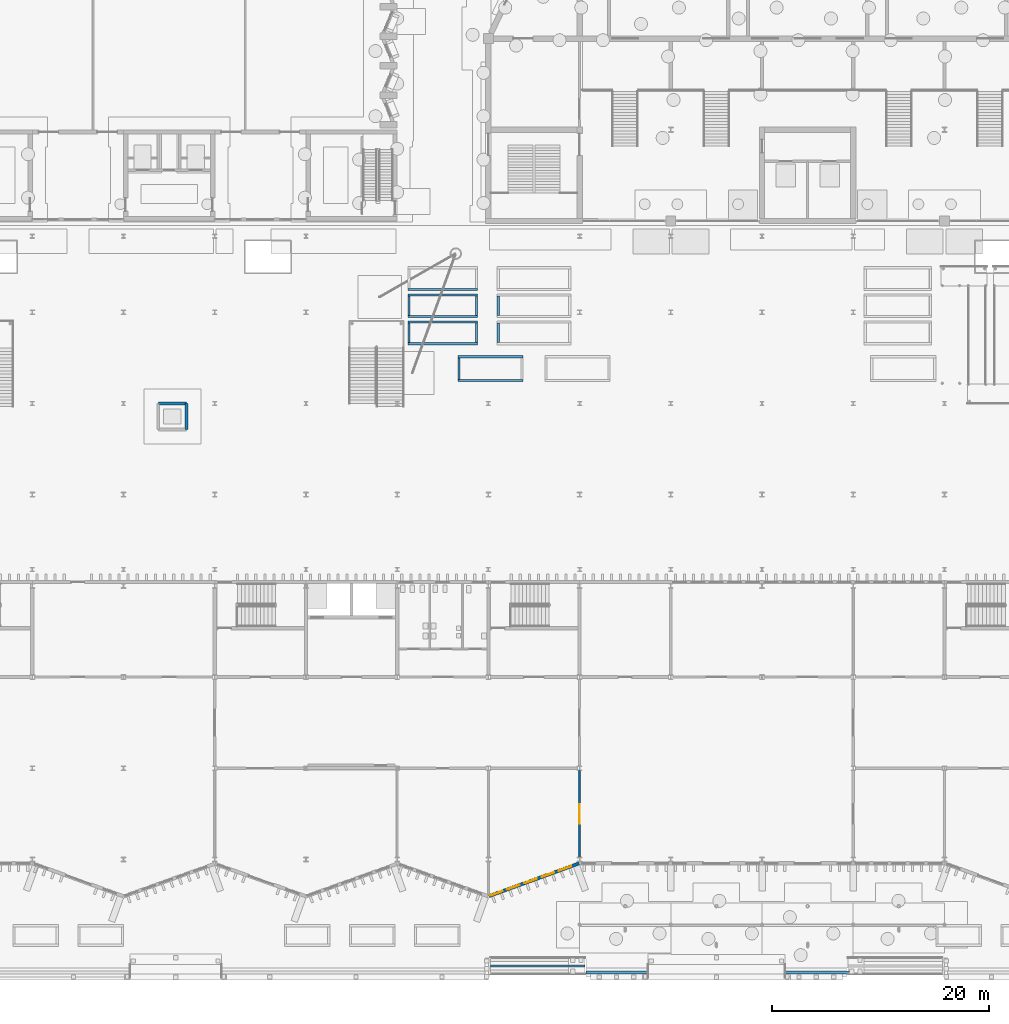
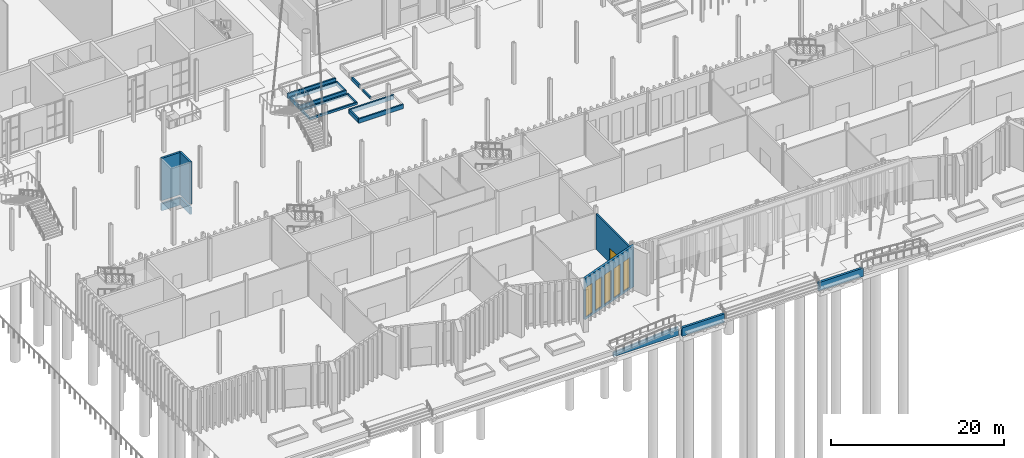
# One storey, part 56 of 108: 23 walls, 5 windows, 1 door, 6 openings.
"""IFC4 building model written with IfcOpenShell, lengths in metres."""

import ifcopenshell
import ifcopenshell.guid

model = None  # the IFC model being written
_history = None  # IfcOwnerHistory: only IFC2X3 demands one
_inside = {}  # id of a spatial element -> (the spatial element, [elements in it])
_under = {}  # id of a project, library or spatial element -> (it, [spatial elements below it])
_declared = {}  # id of a project -> (the project, [libraries it declares])
_typed = {}  # id of a type object -> (the type object, [elements of that type])
_made_of = {}  # id of a material, layer set ... -> (it, [elements and type objects made of it])


def new_model(schema):
    """Start an empty IFC model of exactly this schema.

    Asked for "IFC4X3", IfcOpenShell would pick the latest addendum, in which some entities
    have other attributes; the version numbers below select the first issue.
    IFC2X3 requires an IfcOwnerHistory on every rooted entity: one is made here for all.
    """
    global model, _history
    if schema == "IFC4X3":
        model = ifcopenshell.file(schema_version=(4, 3, 0, 0))
    else:
        model = ifcopenshell.file(schema=schema)
    _inside.clear()
    _under.clear()
    _declared.clear()
    _typed.clear()
    _made_of.clear()
    _history = None
    if model.schema == "IFC2X3":
        org = make("IfcOrganization", Name="unknown")
        user = make(
            "IfcPersonAndOrganization",
            ThePerson=make("IfcPerson", FamilyName="unknown"),
            TheOrganization=org,
        )
        app = make(
            "IfcApplication",
            ApplicationDeveloper=org,
            Version="unknown",
            ApplicationFullName="unknown",
            ApplicationIdentifier="unknown",
        )
        _history = make(
            "IfcOwnerHistory",
            OwningUser=user,
            OwningApplication=app,
            ChangeAction="ADDED",
            CreationDate=0,
        )
    return model


def make(cls, **values):
    """One entity of the class cls with the attributes given. An attribute that is None is left unset."""
    return model.create_entity(
        cls, **{name: value for name, value in values.items() if value is not None}
    )


def rooted(cls, **values):
    """An entity with a GlobalId (a new one), such as an element, a storey or a relation."""
    return make(cls, GlobalId=ifcopenshell.guid.new(), OwnerHistory=_history, **values)


def si_unit(unit_type, name, prefix=None):
    """IfcSIUnit, for example si_unit("LENGTHUNIT", "METRE", prefix="MILLI")."""
    return make("IfcSIUnit", UnitType=unit_type, Prefix=prefix, Name=name)


def assignment(units):
    """IfcUnitAssignment: the units of a project."""
    return None if units is None else make("IfcUnitAssignment", Units=units)


def point(xyz):
    """IfcCartesianPoint."""
    return None if xyz is None else make("IfcCartesianPoint", Coordinates=xyz)


def direction(xyz):
    """IfcDirection."""
    return None if xyz is None else make("IfcDirection", DirectionRatios=xyz)


def frame(location, z_axis=None, x_axis=None):
    """IfcAxis2Placement3D, a coordinate frame: its origin and axes. An axis left out is left unset."""
    return make(
        "IfcAxis2Placement3D",
        Location=point(location),
        Axis=direction(z_axis),
        RefDirection=direction(x_axis),
    )


def frame_2d(location, x_axis=None):
    """IfcAxis2Placement2D, a coordinate frame in the plane: its origin and x axis."""
    return make(
        "IfcAxis2Placement2D", Location=point(location), RefDirection=direction(x_axis)
    )


def origin():
    """The frame at (0, 0, 0) with its axes left unset."""
    return frame((0.0, 0.0, 0.0))


def place(relative_to, where):
    """IfcLocalPlacement: puts the frame where relative to a parent placement (None: the world)."""
    return make(
        "IfcLocalPlacement", PlacementRelTo=relative_to, RelativePlacement=where
    )


def context(
    kind, dimensions, precision=None, world=None, true_north=None, identifier=None
):
    """IfcGeometricRepresentationContext, for example the 3D "Model" context."""
    return make(
        "IfcGeometricRepresentationContext",
        ContextIdentifier=identifier,
        ContextType=kind,
        CoordinateSpaceDimension=dimensions,
        Precision=precision,
        WorldCoordinateSystem=world,
        TrueNorth=true_north,
    )


def subcontext(parent, identifier, kind, view, scale=None):
    """IfcGeometricRepresentationSubContext, for example "Body" below "Model"."""
    return make(
        "IfcGeometricRepresentationSubContext",
        ContextIdentifier=identifier,
        ContextType=kind,
        ParentContext=parent,
        TargetScale=scale,
        TargetView=view,
    )


def project(units=None, contexts=None):
    """IfcProject with its units and contexts."""
    return rooted(
        "IfcProject",
        Name="project",
        RepresentationContexts=contexts,
        UnitsInContext=assignment(units),
    )


def spatial(cls, under=None, at=None, **own):
    """A site, building, storey or space (cls), placed at a placement, below another one or the project."""
    s = rooted(cls, ObjectPlacement=at, **own)
    if under is not None:
        _under.setdefault(under.id(), (under, []))[1].append(s)
    return s


def polyline(points):
    """IfcPolyline through the points."""
    return make("IfcPolyline", Points=[point(p) for p in points])


def profile(cls, at=None, kind="AREA", **sizes):
    """A parametric profile (cls). Its sizes go by their IFC names, for example OverallWidth=200.0."""
    return make(cls, ProfileType=kind, Position=at, **sizes)


def rectangle(**sizes):
    """IfcRectangleProfileDef."""
    return profile("IfcRectangleProfileDef", **sizes)


def outline(outer, holes=None, kind="AREA"):
    """IfcArbitraryClosedProfileDef: a profile drawn as a closed curve; with holes, ...WithVoids."""
    if holes is None:
        return make("IfcArbitraryClosedProfileDef", ProfileType=kind, OuterCurve=outer)
    return make(
        "IfcArbitraryProfileDefWithVoids",
        ProfileType=kind,
        OuterCurve=outer,
        InnerCurves=holes,
    )


def extrude(swept, where, along, depth):
    """IfcExtrudedAreaSolid: the profile swept, set in the frame where, extruded along a direction by depth."""
    return make(
        "IfcExtrudedAreaSolid",
        SweptArea=swept,
        Position=where,
        ExtrudedDirection=direction(along),
        Depth=depth,
    )


def shape(context_of_items, identifier, shape_type, items):
    """IfcShapeRepresentation: the items that make up one representation, for example the "Body"."""
    return make(
        "IfcShapeRepresentation",
        ContextOfItems=context_of_items,
        RepresentationIdentifier=identifier,
        RepresentationType=shape_type,
        Items=items,
    )


def material(Name=None, Category=None):
    """IfcMaterial."""
    return make("IfcMaterial", Name=Name, Category=Category)


def layer(
    of_material, thickness, ventilated=None, Name=None, Category=None, Priority=None
):
    """IfcMaterialLayer: one layer of a wall or slab, of a material (None: an air gap)."""
    return make(
        "IfcMaterialLayer",
        Material=of_material,
        LayerThickness=thickness,
        IsVentilated=ventilated,
        Name=Name,
        Category=Category,
        Priority=Priority,
    )


def layer_set(layers, Name=None):
    """IfcMaterialLayerSet."""
    return make("IfcMaterialLayerSet", MaterialLayers=layers, LayerSetName=Name)


def made_of(thing, what):
    """Note that an element or type object is made of a material, layer set ...; save() writes the relation."""
    if what is not None:
        _made_of.setdefault(what.id(), (what, []))[1].append(thing)
    return thing


def type_object(cls, material=None, **own):
    """A type object (cls), such as IfcWallType, which elements share."""
    return made_of(rooted(cls, **own), material)


def element(
    cls,
    number,
    at=None,
    inside=None,
    cuts=None,
    type_object=None,
    material=None,
    context=None,
    identifier="Body",
    shape_type=None,
    held_by="IfcProductDefinitionShape",
    body=None,
    shapes=None,
    **own,
):
    """One element of the class cls, such as IfcWall. Its Tag is "e" and its number.

    at: its placement. inside: the storey or other place that contains it. cuts: it is an
    opening in that element (IfcRelVoidsElement). A single representation is given by context,
    identifier, shape_type and body (its items); several are given by shapes. held_by: the class
    of the entity that holds the representations. save() writes the other relations.
    """
    e = rooted(cls, Tag="e%d" % number, ObjectPlacement=at, **own)
    if body is not None:
        shapes = [shape(context, identifier, shape_type, body)]
    if shapes is not None:
        e.Representation = make(held_by, Representations=shapes)
    if inside is not None:
        _inside.setdefault(inside.id(), (inside, []))[1].append(e)
    if cuts is not None:
        rooted(
            "IfcRelVoidsElement", RelatingBuildingElement=cuts, RelatedOpeningElement=e
        )
    if type_object is not None:
        _typed.setdefault(type_object.id(), (type_object, []))[1].append(e)
    return made_of(e, material)


def fill(opening, filler):
    """IfcRelFillsElement: the door or window that sits in an opening."""
    return rooted(
        "IfcRelFillsElement",
        RelatingOpeningElement=opening,
        RelatedBuildingElement=filler,
    )


def aggregate(whole, parts):
    """IfcRelAggregates: a whole, such as a stair, and the parts it consists of."""
    return rooted("IfcRelAggregates", RelatingObject=whole, RelatedObjects=parts)


def save(model, path):
    """Write the relations noted so far, then the file.

    IfcRelAggregates (storeys below a building ...), IfcRelContainedInSpatialStructure (elements
    in a storey), IfcRelDefinesByType, IfcRelAssociatesMaterial and IfcRelDeclares: one each for
    every whole, place, type object, material and project.
    """
    for whole, parts in _under.values():
        aggregate(whole, parts)
    for where, things in _inside.values():
        rooted(
            "IfcRelContainedInSpatialStructure",
            RelatedElements=things,
            RelatingStructure=where,
        )
    for kind, things in _typed.values():
        rooted("IfcRelDefinesByType", RelatedObjects=things, RelatingType=kind)
    for what, things in _made_of.values():
        rooted("IfcRelAssociatesMaterial", RelatedObjects=things, RelatingMaterial=what)
    for by, libraries in _declared.values():
        rooted("IfcRelDeclares", RelatingContext=by, RelatedDefinitions=libraries)
    model.write(path)


model = new_model("IFC4")

# Units and contexts
model_context = context("Model", 3, precision=1e-05, world=origin(), true_north=direction((0.0, 1.0)))
body_context = subcontext(model_context, "Body", "Model", "MODEL_VIEW")
ifc_project = project(units=[si_unit("LENGTHUNIT", "METRE"), si_unit("AREAUNIT", "SQUARE_METRE"), si_unit("VOLUMEUNIT", "CUBIC_METRE"), si_unit("PLANEANGLEUNIT", "RADIAN"), si_unit("MASSUNIT", "GRAM", prefix="KILO")], contexts=[model_context])

# Site, building, storey
site_placement = place(None, origin())
site = spatial("IfcSite", under=ifc_project, at=site_placement, CompositionType="ELEMENT")
building_placement = place(site_placement, origin())
building = spatial("IfcBuilding", under=site, at=building_placement, Name="Cresset Court Congress Hotel", CompositionType="ELEMENT")
storey_placement = place(building_placement, origin())
storey = spatial("IfcBuildingStorey", under=building, at=storey_placement, Name="L00", CompositionType="ELEMENT", Elevation=0.0)

# Wall, openings, windows
ifc_material_1 = material(Name="Concrete C40", Category="concrete")
ifc_layer_1 = layer(ifc_material_1, 0.300048828125)
ifc_layer_set_1 = layer_set([ifc_layer_1], Name="External wall 300 Concrete C40")
wall_type_1 = type_object("IfcWallType", Name="External wall 300 Concrete C40", PredefinedType="SOLIDWALL", material=ifc_layer_set_1)
wall_1_placement = place(storey_placement, frame((58.850341796875, -3.3720703125, 0.0), z_axis=(0.0, 0.0, 1.0), x_axis=(0.939953187971, 0.341303390584, 0.0)))
wall_1 = element("IfcWall", 1, at=wall_1_placement, inside=storey, type_object=wall_type_1, Name="External wall", PredefinedType="SOLIDWALL", context=body_context, shape_type="SweptSolid", body=[
    extrude(rectangle(XDim=8.828369140625, YDim=0.300048828125, at=frame_2d((4.4140625, 0.0))), origin(), (0.0, 0.0, 1.0), 5.85009765625),
])
opening_1_placement = place(wall_1_placement, frame((0.132080078125, 0.0, 0.300048828125)))
opening_1 = element("IfcOpeningElement", 2, at=opening_1_placement, cuts=wall_1, Name="Opening NB-00-49", PredefinedType="OPENING", context=body_context, shape_type="SweptSolid", body=[
    extrude(rectangle(XDim=1.199951171875, YDim=4.199951171875, at=frame_2d((0.60009765625, 2.10009765625))), frame((0.0, 0.159912109375, 0.0), z_axis=(0.0, -1.0, 0.0), x_axis=(1.0, 0.0, 0.0)), (0.0, 0.0, 1.0), 0.320068359375),
])
opening_2_placement = place(wall_1_placement, frame((1.81201171875, 0.0, 0.300048828125)))
opening_2 = element("IfcOpeningElement", 3, at=opening_2_placement, cuts=wall_1, Name="Opening NB-00-50", PredefinedType="OPENING", context=body_context, shape_type="SweptSolid", body=[
    extrude(rectangle(XDim=1.199951171875, YDim=4.199951171875, at=frame_2d((0.60009765625, 2.10009765625))), frame((0.0, 0.159912109375, 0.0), z_axis=(0.0, -1.0, 0.0), x_axis=(1.0, 0.0, 0.0)), (0.0, 0.0, 1.0), 0.320068359375),
])
opening_3_placement = place(wall_1_placement, frame((3.491943359375, 0.0, 0.300048828125)))
opening_3 = element("IfcOpeningElement", 4, at=opening_3_placement, cuts=wall_1, Name="Opening NB-00-51", PredefinedType="OPENING", context=body_context, shape_type="SweptSolid", body=[
    extrude(rectangle(XDim=1.199951171875, YDim=4.199951171875, at=frame_2d((0.60009765625, 2.10009765625))), frame((0.0, 0.159912109375, 0.0), z_axis=(0.0, -1.0, 0.0), x_axis=(1.0, 0.0, 0.0)), (0.0, 0.0, 1.0), 0.320068359375),
])
opening_4_placement = place(wall_1_placement, frame((5.172119140625, 0.0, 0.300048828125)))
opening_4 = element("IfcOpeningElement", 5, at=opening_4_placement, cuts=wall_1, Name="Opening NB-00-52", PredefinedType="OPENING", context=body_context, shape_type="SweptSolid", body=[
    extrude(rectangle(XDim=1.199951171875, YDim=4.199951171875, at=frame_2d((0.60009765625, 2.10009765625))), frame((0.0, 0.159912109375, 0.0), z_axis=(0.0, -1.0, 0.0), x_axis=(1.0, 0.0, 0.0)), (0.0, 0.0, 1.0), 0.320068359375),
])
opening_5_placement = place(wall_1_placement, frame((6.85205078125, 0.0, 0.300048828125)))
opening_5 = element("IfcOpeningElement", 6, at=opening_5_placement, cuts=wall_1, Name="Opening NB-00-53", PredefinedType="OPENING", context=body_context, shape_type="SweptSolid", body=[
    extrude(rectangle(XDim=1.199951171875, YDim=4.199951171875, at=frame_2d((0.60009765625, 2.10009765625))), frame((0.0, 0.159912109375, 0.0), z_axis=(0.0, -1.0, 0.0), x_axis=(1.0, 0.0, 0.0)), (0.0, 0.0, 1.0), 0.320068359375),
])
ifc_material_2 = material(Name="Aluminium frame with double glazing", Category="aluminium")
window_type = type_object("IfcWindowType", Name="Window 1200x4200", PartitioningType="TRIPLE_PANEL_VERTICAL", PredefinedType="WINDOW", material=ifc_material_2)
window_1_placement = place(opening_1_placement, origin())
window_1 = element("IfcWindow", 7, at=window_1_placement, inside=storey, type_object=window_type, Name="Window NB-00-49", OverallHeight=4.199951171875, OverallWidth=1.199951171875, PartitioningType="TRIPLE_PANEL_VERTICAL", PredefinedType="WINDOW", context=body_context, shape_type="SweptSolid", body=[
    extrude(rectangle(XDim=1.199951171875, YDim=4.199951171875, at=frame_2d((0.60009765625, 2.10009765625))), frame((0.0, 0.030029296875, 0.0), z_axis=(0.0, -1.0, 0.0), x_axis=(1.0, 0.0, 0.0)), (0.0, 0.0, 1.0), 0.06005859375),
])
fill(opening_1, window_1)
window_2_placement = place(opening_2_placement, origin())
window_2 = element("IfcWindow", 8, at=window_2_placement, inside=storey, type_object=window_type, Name="Window NB-00-50", OverallHeight=4.199951171875, OverallWidth=1.199951171875, PartitioningType="TRIPLE_PANEL_VERTICAL", PredefinedType="WINDOW", context=body_context, shape_type="SweptSolid", body=[
    extrude(rectangle(XDim=1.199951171875, YDim=4.199951171875, at=frame_2d((0.60009765625, 2.10009765625))), frame((0.0, 0.030029296875, 0.0), z_axis=(0.0, -1.0, 0.0), x_axis=(1.0, 0.0, 0.0)), (0.0, 0.0, 1.0), 0.06005859375),
])
fill(opening_2, window_2)
window_3_placement = place(opening_3_placement, origin())
window_3 = element("IfcWindow", 9, at=window_3_placement, inside=storey, type_object=window_type, Name="Window NB-00-51", OverallHeight=4.199951171875, OverallWidth=1.199951171875, PartitioningType="TRIPLE_PANEL_VERTICAL", PredefinedType="WINDOW", context=body_context, shape_type="SweptSolid", body=[
    extrude(rectangle(XDim=1.199951171875, YDim=4.199951171875, at=frame_2d((0.60009765625, 2.10009765625))), frame((0.0, 0.030029296875, 0.0), z_axis=(0.0, -1.0, 0.0), x_axis=(1.0, 0.0, 0.0)), (0.0, 0.0, 1.0), 0.06005859375),
])
fill(opening_3, window_3)
window_4_placement = place(opening_4_placement, origin())
window_4 = element("IfcWindow", 10, at=window_4_placement, inside=storey, type_object=window_type, Name="Window NB-00-52", OverallHeight=4.199951171875, OverallWidth=1.199951171875, PartitioningType="TRIPLE_PANEL_VERTICAL", PredefinedType="WINDOW", context=body_context, shape_type="SweptSolid", body=[
    extrude(rectangle(XDim=1.199951171875, YDim=4.199951171875, at=frame_2d((0.60009765625, 2.10009765625))), frame((0.0, 0.030029296875, 0.0), z_axis=(0.0, -1.0, 0.0), x_axis=(1.0, 0.0, 0.0)), (0.0, 0.0, 1.0), 0.06005859375),
])
fill(opening_4, window_4)
window_5_placement = place(opening_5_placement, origin())
window_5 = element("IfcWindow", 11, at=window_5_placement, inside=storey, type_object=window_type, Name="Window NB-00-53", OverallHeight=4.199951171875, OverallWidth=1.199951171875, PartitioningType="TRIPLE_PANEL_VERTICAL", PredefinedType="WINDOW", context=body_context, shape_type="SweptSolid", body=[
    extrude(rectangle(XDim=1.199951171875, YDim=4.199951171875, at=frame_2d((0.60009765625, 2.10009765625))), frame((0.0, 0.030029296875, 0.0), z_axis=(0.0, -1.0, 0.0), x_axis=(1.0, 0.0, 0.0)), (0.0, 0.0, 1.0), 0.06005859375),
])
fill(opening_5, window_5)

# Wall, opening, door
ifc_material_3 = material(Name="Gypsum board on steel studs", Category="steel")
ifc_layer_2 = layer(ifc_material_3, 0.199951171875)
ifc_layer_set_2 = layer_set([ifc_layer_2], Name="Foyer wall 200")
wall_type_2 = type_object("IfcWallType", Name="Foyer wall 200", PredefinedType="PARTITIONING", material=ifc_layer_set_2)
wall_2_placement = place(storey_placement, frame((67.199951171875, 0.199951171875, 0.0), z_axis=(0.0, 0.0, 1.0), x_axis=(0.0, 1.0, 0.0)))
wall_2 = element("IfcWall", 12, at=wall_2_placement, inside=storey, type_object=wall_type_2, Name="Foyer wall", PredefinedType="PARTITIONING", context=body_context, shape_type="SweptSolid", body=[
    extrude(rectangle(XDim=8.0, YDim=0.199951171875, at=frame_2d((4.0, 0.0))), origin(), (0.0, 0.0, 1.0), 5.050048828125),
])
opening_6_placement = place(wall_2_placement, frame((3.10009765625, 0.0, 0.0)))
opening_6 = element("IfcOpeningElement", 13, at=opening_6_placement, cuts=wall_2, Name="Opening DB-00-19", PredefinedType="OPENING", context=body_context, shape_type="SweptSolid", body=[
    extrude(rectangle(XDim=1.800048828125, YDim=2.10009765625, at=frame_2d((0.89990234375, 1.050048828125))), frame((0.0, 0.10986328125, 0.0), z_axis=(0.0, -1.0, 0.0), x_axis=(1.0, 0.0, 0.0)), (0.0, 0.0, 1.0), 0.219970703125),
])
ifc_material_4 = material(Name="Timber and steel frame", Category="steel")
door_type = type_object("IfcDoorType", Name="Fire door FD30 double 1800x2100", OperationType="DOUBLE_DOOR_SINGLE_SWING", PredefinedType="DOOR", material=ifc_material_4)
door_placement = place(opening_6_placement, origin())
door = element("IfcDoor", 14, at=door_placement, inside=storey, type_object=door_type, Name="Registration door", OperationType="DOUBLE_DOOR_SINGLE_SWING", OverallHeight=2.10009765625, OverallWidth=1.800048828125, PredefinedType="DOOR", context=body_context, shape_type="SweptSolid", body=[
    extrude(rectangle(XDim=1.800048828125, YDim=2.10009765625, at=frame_2d((0.89990234375, 1.050048828125))), frame((0.0, 0.02490234375, 0.0), z_axis=(0.0, -1.0, 0.0), x_axis=(1.0, 0.0, 0.0)), (0.0, 0.0, 1.0), 0.050048828125),
])
fill(opening_6, door)

# Walls
ifc_material_5 = material(Name="Concrete C50", Category="concrete")
ifc_layer_3 = layer(ifc_material_5, 0.25)
ifc_layer_set_3 = layer_set([ifc_layer_3], Name="Lift shaft wall 250")
wall_type_3 = type_object("IfcWallType", Name="Lift shaft wall 250", PredefinedType="SOLIDWALL", material=ifc_layer_set_3)
wall_3_placement = place(storey_placement, frame((28.39990234375, 42.0, -1.449951171875), z_axis=(0.0, 0.0, 1.0), x_axis=(1.0, 0.0, 0.0)))
element("IfcWall", 15, at=wall_3_placement, inside=storey, type_object=wall_type_3, Name="S.lift.L00.LF-S2.pit.N", PredefinedType="SOLIDWALL", context=body_context, shape_type="SweptSolid", body=[
    extrude(rectangle(XDim=2.60009765625, YDim=0.25, at=frame_2d((1.300048828125, 0.0))), origin(), (0.0, 0.0, 1.0), 1.0),
])
wall_4_placement = place(storey_placement, frame((31.0, 39.60009765625, -1.449951171875), z_axis=(0.0, 0.0, 1.0), x_axis=(0.0, 1.0, 0.0)))
element("IfcWall", 16, at=wall_4_placement, inside=storey, type_object=wall_type_3, Name="S.lift.L00.LF-S2.pit.E", PredefinedType="SOLIDWALL", context=body_context, shape_type="SweptSolid", body=[
    extrude(rectangle(XDim=2.39990234375, YDim=0.25, at=frame_2d((1.199951171875, 0.0))), origin(), (0.0, 0.0, 1.0), 1.0),
])
wall_5_placement = place(storey_placement, frame((28.39990234375, 42.0, 0.0), z_axis=(0.0, 0.0, 1.0), x_axis=(1.0, 0.0, 0.0)))
element("IfcWall", 17, at=wall_5_placement, inside=storey, type_object=wall_type_3, Name="S.lift.L00.LF-S2.N", PredefinedType="SOLIDWALL", context=body_context, shape_type="SweptSolid", body=[
    extrude(rectangle(XDim=2.60009765625, YDim=0.25, at=frame_2d((1.300048828125, 0.0))), origin(), (0.0, 0.0, 1.0), 6.0),
])
wall_6_placement = place(storey_placement, frame((31.0, 39.60009765625, 0.0), z_axis=(0.0, 0.0, 1.0), x_axis=(0.0, 1.0, 0.0)))
element("IfcWall", 18, at=wall_6_placement, inside=storey, type_object=wall_type_3, Name="S.lift.L00.LF-S2.E", PredefinedType="SOLIDWALL", context=body_context, shape_type="SweptSolid", body=[
    extrude(rectangle(XDim=2.39990234375, YDim=0.25, at=frame_2d((1.199951171875, 0.0))), origin(), (0.0, 0.0, 1.0), 6.0),
])
ifc_material_6 = material(Name="Concrete C35", Category="concrete")
ifc_layer_4 = layer(ifc_material_6, 0.199951171875)
ifc_layer_set_4 = layer_set([ifc_layer_4], Name="Planter wall 200")
wall_type_4 = type_object("IfcWallType", Name="Planter wall 200", PredefinedType="SOLIDWALL", material=ifc_layer_set_4)
for number, where, z_axis, x_axis, name in (
    (19, (51.39990234375, 47.5, 0.0), (0.0, 0.0, 1.0), (1.0, 0.0, 0.0), "Terrace planter wall 01"),
    (20, (51.39990234375, 49.5, 0.0), (0.0, 0.0, 1.0), (1.0, 0.0, 0.0), "Terrace planter wall 01"),
):
    element("IfcWall", number, at=place(storey_placement, frame(where, z_axis=z_axis, x_axis=x_axis)), inside=storey, type_object=wall_type_4, Name=name, PredefinedType="SOLIDWALL", context=body_context, shape_type="SweptSolid", body=[
        extrude(rectangle(XDim=6.400146484375, YDim=0.199951171875, at=frame_2d((3.2001953125, 0.0))), origin(), (0.0, 0.0, 1.0), 0.300048828125),
    ])
for number, where, z_axis, x_axis, name in (
    (21, (51.5, 47.60009765625, 0.0), (0.0, 0.0, 1.0), (0.0, 1.0, 0.0), "Terrace planter wall 01"),
    (22, (57.699951171875, 47.60009765625, 0.0), (0.0, 0.0, 1.0), (0.0, 1.0, 0.0), "Terrace planter wall 01"),
):
    element("IfcWall", number, at=place(storey_placement, frame(where, z_axis=z_axis, x_axis=x_axis)), inside=storey, type_object=wall_type_4, Name=name, PredefinedType="SOLIDWALL", context=body_context, shape_type="SweptSolid", body=[
        extrude(rectangle(XDim=1.7998046875, YDim=0.199951171875, at=frame_2d((0.89990234375, 0.0))), origin(), (0.0, 0.0, 1.0), 0.300048828125),
    ])
for number, where, z_axis, x_axis, name in (
    (23, (51.39990234375, 50.0, 0.0), (0.0, 0.0, 1.0), (1.0, 0.0, 0.0), "Terrace planter wall 02"),
    (24, (51.39990234375, 52.0, 0.0), (0.0, 0.0, 1.0), (1.0, 0.0, 0.0), "Terrace planter wall 02"),
):
    element("IfcWall", number, at=place(storey_placement, frame(where, z_axis=z_axis, x_axis=x_axis)), inside=storey, type_object=wall_type_4, Name=name, PredefinedType="SOLIDWALL", context=body_context, shape_type="SweptSolid", body=[
        extrude(rectangle(XDim=6.400146484375, YDim=0.199951171875, at=frame_2d((3.2001953125, 0.0))), origin(), (0.0, 0.0, 1.0), 0.5),
    ])
for number, where, z_axis, x_axis, name in (
    (25, (51.5, 50.10009765625, 0.0), (0.0, 0.0, 1.0), (0.0, 1.0, 0.0), "Terrace planter wall 02"),
    (26, (57.699951171875, 50.10009765625, 0.0), (0.0, 0.0, 1.0), (0.0, 1.0, 0.0), "Terrace planter wall 02"),
):
    element("IfcWall", number, at=place(storey_placement, frame(where, z_axis=z_axis, x_axis=x_axis)), inside=storey, type_object=wall_type_4, Name=name, PredefinedType="SOLIDWALL", context=body_context, shape_type="SweptSolid", body=[
        extrude(rectangle(XDim=1.7998046875, YDim=0.199951171875, at=frame_2d((0.89990234375, 0.0))), origin(), (0.0, 0.0, 1.0), 0.5),
    ])
wall_7_placement = place(storey_placement, frame((51.39990234375, 52.5, 0.0), z_axis=(0.0, 0.0, 1.0), x_axis=(1.0, 0.0, 0.0)))
element("IfcWall", 27, at=wall_7_placement, inside=storey, type_object=wall_type_4, Name="Terrace planter wall 03", PredefinedType="SOLIDWALL", context=body_context, shape_type="SweptSolid", body=[
    extrude(rectangle(XDim=6.400146484375, YDim=0.199951171875, at=frame_2d((3.2001953125, 0.0))), origin(), (0.0, 0.0, 1.0), 0.699951171875),
])
wall_8_placement = place(storey_placement, frame((59.699951171875, 47.60009765625, 0.0), z_axis=(0.0, 0.0, 1.0), x_axis=(0.0, 1.0, 0.0)))
element("IfcWall", 28, at=wall_8_placement, inside=storey, type_object=wall_type_4, Name="Terrace planter wall 04", PredefinedType="SOLIDWALL", context=body_context, shape_type="SweptSolid", body=[
    extrude(rectangle(XDim=1.7998046875, YDim=0.199951171875, at=frame_2d((0.89990234375, 0.0))), origin(), (0.0, 0.0, 1.0), 0.300048828125),
])
wall_9_placement = place(storey_placement, frame((59.699951171875, 50.10009765625, 0.0), z_axis=(0.0, 0.0, 1.0), x_axis=(0.0, 1.0, 0.0)))
element("IfcWall", 29, at=wall_9_placement, inside=storey, type_object=wall_type_4, Name="Terrace planter wall 05", PredefinedType="SOLIDWALL", context=body_context, shape_type="SweptSolid", body=[
    extrude(rectangle(XDim=1.7998046875, YDim=0.199951171875, at=frame_2d((0.89990234375, 0.0))), origin(), (0.0, 0.0, 1.0), 0.5),
])
for number, where, z_axis, x_axis, name in (
    (30, (56.0, 44.10009765625, 0.0), (0.0, 0.0, 1.0), (1.0, 0.0, 0.0), "S.planter.L00.13.S"),
    (31, (56.0, 46.300048828125, 0.0), (0.0, 0.0, 1.0), (1.0, 0.0, 0.0), "S.planter.L00.13.N"),
):
    element("IfcWall", number, at=place(storey_placement, frame(where, z_axis=z_axis, x_axis=x_axis)), inside=storey, type_object=wall_type_4, Name=name, PredefinedType="SOLIDWALL", context=body_context, shape_type="SweptSolid", body=[
        extrude(rectangle(XDim=6.0, YDim=0.199951171875, at=frame_2d((3.0, 0.0))), origin(), (0.0, 0.0, 1.0), 0.60009765625),
    ])
wall_10_placement = place(storey_placement, frame((56.10009765625, 44.199951171875, 0.0), z_axis=(0.0, 0.0, 1.0), x_axis=(0.0, 1.0, 0.0)))
element("IfcWall", 32, at=wall_10_placement, inside=storey, type_object=wall_type_4, Name="S.planter.L00.13.W", PredefinedType="SOLIDWALL", context=body_context, shape_type="SweptSolid", body=[
    extrude(rectangle(XDim=2.0, YDim=0.199951171875, at=frame_2d((1.0, 0.0))), origin(), (0.0, 0.0, 1.0), 0.60009765625),
])
ifc_material_7 = material(Name="Concrete C35", Category="concrete")
ifc_layer_5 = layer(ifc_material_7, 0.300048828125)
ifc_layer_set_5 = layer_set([ifc_layer_5], Name="Plinth wall 300")
wall_type_5 = type_object("IfcWallType", Name="Plinth wall 300", PredefinedType="SOLIDWALL", material=ifc_layer_set_5)
wall_11_placement = place(storey_placement, frame((67.800048828125, -10.39990234375, -1.199951171875), z_axis=(0.0, 0.0, 1.0), x_axis=(1.0, 0.0, 0.0)))
element("IfcWall", 33, at=wall_11_placement, inside=storey, type_object=wall_type_5, Name="S.wall.L00.PS03", PredefinedType="SOLIDWALL", context=body_context, shape_type="SweptSolid", body=[
    extrude(rectangle(XDim=5.699951171875, YDim=0.300048828125, at=frame_2d((2.85009765625, 0.0))), origin(), (0.0, 0.0, 1.0), 1.199951171875),
])
wall_12_placement = place(storey_placement, frame((86.10009765625, -10.39990234375, -1.199951171875), z_axis=(0.0, 0.0, 1.0), x_axis=(1.0, 0.0, 0.0)))
element("IfcWall", 34, at=wall_12_placement, inside=storey, type_object=wall_type_5, Name="S.wall.L00.PS04", PredefinedType="SOLIDWALL", context=body_context, shape_type="SweptSolid", body=[
    extrude(rectangle(XDim=5.97998046875, YDim=0.300048828125, at=frame_2d((2.989990234375, 0.0))), origin(), (0.0, 0.0, 1.0), 1.199951171875),
])
ifc_material_8 = material(Name="Concrete C35", Category="concrete")
ifc_layer_6 = layer(ifc_material_8, 0.199951171875)
ifc_layer_set_6 = layer_set([ifc_layer_6], Name="Ramp cheek wall 200")
wall_type_6 = type_object("IfcWallType", Name="Ramp cheek wall 200", PredefinedType="SOLIDWALL", material=ifc_layer_set_6)
wall_13_placement = place(storey_placement, frame((59.0, -9.800048828125, -1.39990234375), z_axis=(0.0, 0.0, 1.0), x_axis=(1.0, 0.0, 0.0)))
element("IfcWall", 35, at=wall_13_placement, inside=storey, type_object=wall_type_6, Name="S.ramp.L00.S01.W1", PredefinedType="SOLIDWALL", context=body_context, shape_type="SweptSolid", body=[
    extrude(outline(polyline([(0.0, 0.0), (8.699951171875, 0.0), (8.699951171875, 1.199951171875), (7.199951171875, 1.199951171875), (0.0, 0.599853515625), (0.0, 0.0)])), frame((0.0, 0.10009765625, 0.0), z_axis=(0.0, -1.0, 0.0), x_axis=(1.0, 0.0, 0.0)), (0.0, 0.0, 1.0), 0.199951171875),
])

save(model, "model.ifc")
